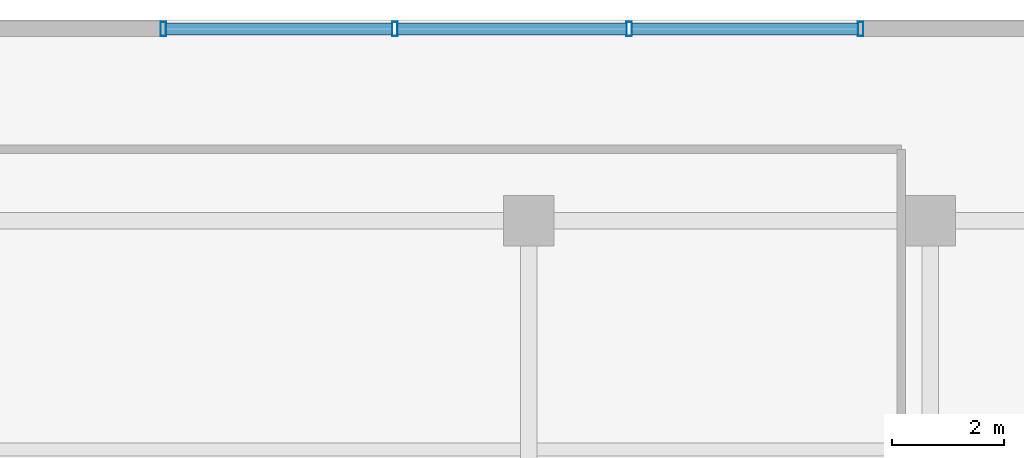
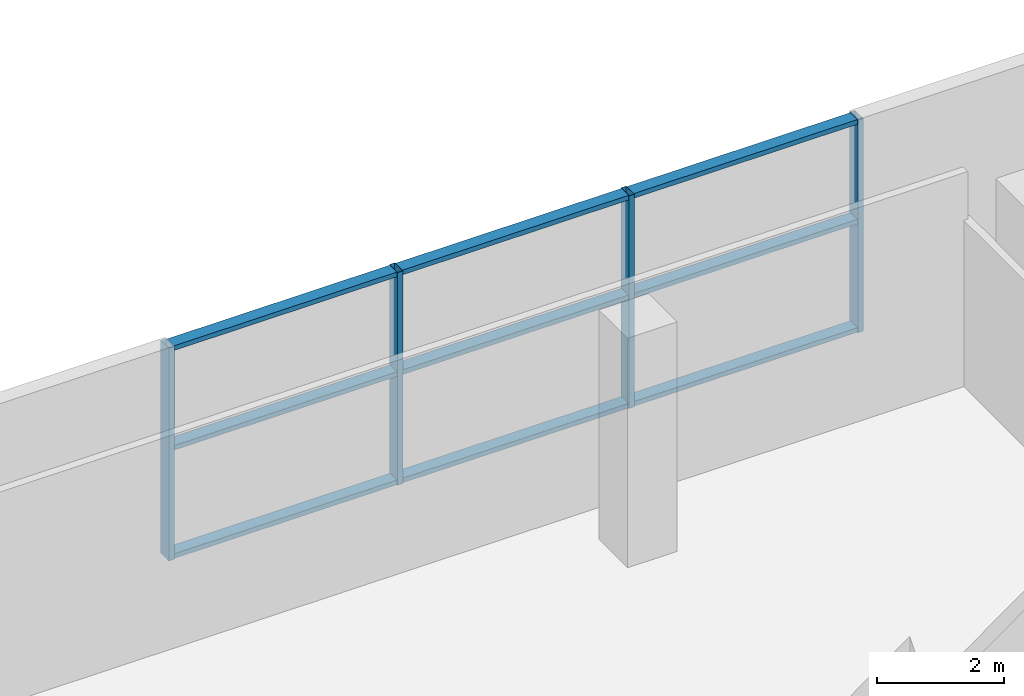
# One storey, part 10 of 21: 13 members, 1 element without a shape of its own.
"""IFC4 building model written with IfcOpenShell, lengths in metres."""

from ifc_helpers import new_model, si_unit, direction, frame, origin, origin_2d, place, context, subcontext, project, spatial, hollow_rectangle, extrude, source, transform, mapped, material, layer, layer_set, material_profile, profile_set, type_object, element, aggregate, save


model = new_model("IFC4")

# Units and contexts
model_context = context("Model", 3, precision=1e-05, world=origin(), true_north=direction((0.0, 1.0)))
body_context = subcontext(model_context, "Body", "Model", "MODEL_VIEW")
ifc_project = project(units=[si_unit("LENGTHUNIT", "METRE"), si_unit("AREAUNIT", "SQUARE_METRE"), si_unit("VOLUMEUNIT", "CUBIC_METRE"), si_unit("PLANEANGLEUNIT", "RADIAN"), si_unit("MASSUNIT", "GRAM", prefix="KILO")], contexts=[model_context])

# Site, building, storey
site_placement = place(None, origin())
site = spatial("IfcSite", under=ifc_project, at=site_placement, CompositionType="ELEMENT")
building_placement = place(site_placement, origin())
building = spatial("IfcBuilding", under=site, at=building_placement, Name="Zarnakvel Exchange Tower", CompositionType="ELEMENT")
storey_placement = place(building_placement, frame((0.0, 0.0, 5.0)))
storey = spatial("IfcBuildingStorey", under=building, at=storey_placement, Name="L01", CompositionType="ELEMENT", Elevation=5.0)

# Curtain wall, members
ifc_material = material(Name="Architectural Bronze Anodised Aluminium", Category="aluminium")
ifc_layer = layer(ifc_material, 0.260009765625)
ifc_layer_set = layer_set([ifc_layer], Name="Architectural Bronze Anodised Aluminium")
curtain_wall_type = type_object("IfcCurtainWallType", Name="CW-01", PredefinedType="NOTDEFINED", material=ifc_layer_set)
curtain_wall_placement = place(storey_placement, origin())
curtain_wall = element("IfcCurtainWall", 1, at=curtain_wall_placement, inside=storey, type_object=curtain_wall_type, Name="L01 Curtain Wall CW-L01-N2 (CW-01)", PredefinedType="NOTDEFINED")
ifc_material_profile_1 = material_profile(ifc_material, hollow_rectangle(XDim=0.219970703125, YDim=0.090087890625, WallThickness=0.0048828125, at=origin_2d()))
ifc_profile_set_1 = profile_set([ifc_material_profile_1], Name="Architectural Bronze Anodised Aluminium")
member_type_1 = type_object("IfcMemberType", Name="CWT-01", PredefinedType="USERDEFINED", material=ifc_profile_set_1)
shared_shape_1 = source(origin(), body_context, "Body", "SweptSolid", [
    extrude(hollow_rectangle(XDim=0.219970703125, YDim=0.090087890625, WallThickness=0.0048828125, at=origin_2d()), origin(), (0.0, 0.0, 1.0), 4.050048828125),
])
member_1_placement = place(storey_placement, frame((7.89990234375, 25.0400390625, 0.044921875), z_axis=(1.0, 0.0, 0.0), x_axis=(0.0, 1.0, 0.0)))
member_1 = element("IfcMember", 2, at=member_1_placement, type_object=member_type_1, Name="CW-01 transom 1.1", ObjectType="TRANSOM", PredefinedType="USERDEFINED", context=body_context, shape_type="MappedRepresentation", body=[
    mapped(shared_shape_1, transform((0.0, 0.0, 0.0), x_axis=(1.0, 0.0, 0.0), y_axis=(0.0, 1.0, 0.0), z_axis=(0.0, 0.0, 1.0), scale=1.0)),
])
member_2_placement = place(storey_placement, frame((7.89990234375, 25.0400390625, 2.12158203125), z_axis=(1.0, 0.0, 0.0), x_axis=(0.0, 1.0, 0.0)))
member_2 = element("IfcMember", 3, at=member_2_placement, type_object=member_type_1, Name="CW-01 transom 1.2", ObjectType="TRANSOM", PredefinedType="USERDEFINED", context=body_context, shape_type="MappedRepresentation", body=[
    mapped(shared_shape_1, transform((0.0, 0.0, 0.0), x_axis=(1.0, 0.0, 0.0), y_axis=(0.0, 1.0, 0.0), z_axis=(0.0, 0.0, 1.0), scale=1.0)),
])
member_3_placement = place(storey_placement, frame((7.89990234375, 25.0400390625, 4.034912109375), z_axis=(1.0, 0.0, 0.0), x_axis=(0.0, 1.0, 0.0)))
member_3 = element("IfcMember", 4, at=member_3_placement, type_object=member_type_1, Name="CW-01 transom 1.3", ObjectType="TRANSOM", PredefinedType="USERDEFINED", context=body_context, shape_type="MappedRepresentation", body=[
    mapped(shared_shape_1, transform((0.0, 0.0, 0.0), x_axis=(1.0, 0.0, 0.0), y_axis=(0.0, 1.0, 0.0), z_axis=(0.0, 0.0, 1.0), scale=1.0)),
])
member_4_placement = place(storey_placement, frame((16.25, 25.0400390625, 0.044921875), z_axis=(1.0, 0.0, 0.0), x_axis=(0.0, 1.0, 0.0)))
member_4 = element("IfcMember", 5, at=member_4_placement, type_object=member_type_1, Name="CW-01 transom 3.1", ObjectType="TRANSOM", PredefinedType="USERDEFINED", context=body_context, shape_type="MappedRepresentation", body=[
    mapped(shared_shape_1, transform((0.0, 0.0, 0.0), x_axis=(1.0, 0.0, 0.0), y_axis=(0.0, 1.0, 0.0), z_axis=(0.0, 0.0, 1.0), scale=1.0)),
])
member_5_placement = place(storey_placement, frame((16.25, 25.0400390625, 2.12158203125), z_axis=(1.0, 0.0, 0.0), x_axis=(0.0, 1.0, 0.0)))
member_5 = element("IfcMember", 6, at=member_5_placement, type_object=member_type_1, Name="CW-01 transom 3.2", ObjectType="TRANSOM", PredefinedType="USERDEFINED", context=body_context, shape_type="MappedRepresentation", body=[
    mapped(shared_shape_1, transform((0.0, 0.0, 0.0), x_axis=(1.0, 0.0, 0.0), y_axis=(0.0, 1.0, 0.0), z_axis=(0.0, 0.0, 1.0), scale=1.0)),
])
member_6_placement = place(storey_placement, frame((16.25, 25.0400390625, 4.034912109375), z_axis=(1.0, 0.0, 0.0), x_axis=(0.0, 1.0, 0.0)))
member_6 = element("IfcMember", 7, at=member_6_placement, type_object=member_type_1, Name="CW-01 transom 3.3", ObjectType="TRANSOM", PredefinedType="USERDEFINED", context=body_context, shape_type="MappedRepresentation", body=[
    mapped(shared_shape_1, transform((0.0, 0.0, 0.0), x_axis=(1.0, 0.0, 0.0), y_axis=(0.0, 1.0, 0.0), z_axis=(0.0, 0.0, 1.0), scale=1.0)),
])
shared_shape_2 = source(origin(), body_context, "Body", "SweptSolid", [
    extrude(hollow_rectangle(XDim=0.219970703125, YDim=0.090087890625, WallThickness=0.0048828125, at=origin_2d()), origin(), (0.0, 0.0, 1.0), 4.099853515625),
])
member_7_placement = place(storey_placement, frame((12.050048828125, 25.0400390625, 0.044921875), z_axis=(1.0, 0.0, 0.0), x_axis=(0.0, 1.0, 0.0)))
member_7 = element("IfcMember", 8, at=member_7_placement, type_object=member_type_1, Name="CW-01 transom 2.1", ObjectType="TRANSOM", PredefinedType="USERDEFINED", context=body_context, shape_type="MappedRepresentation", body=[
    mapped(shared_shape_2, transform((0.0, 0.0, 0.0), x_axis=(1.0, 0.0, 0.0), y_axis=(0.0, 1.0, 0.0), z_axis=(0.0, 0.0, 1.0), scale=1.0)),
])
member_8_placement = place(storey_placement, frame((12.050048828125, 25.0400390625, 2.12158203125), z_axis=(1.0, 0.0, 0.0), x_axis=(0.0, 1.0, 0.0)))
member_8 = element("IfcMember", 9, at=member_8_placement, type_object=member_type_1, Name="CW-01 transom 2.2", ObjectType="TRANSOM", PredefinedType="USERDEFINED", context=body_context, shape_type="MappedRepresentation", body=[
    mapped(shared_shape_2, transform((0.0, 0.0, 0.0), x_axis=(1.0, 0.0, 0.0), y_axis=(0.0, 1.0, 0.0), z_axis=(0.0, 0.0, 1.0), scale=1.0)),
])
member_9_placement = place(storey_placement, frame((12.050048828125, 25.0400390625, 4.034912109375), z_axis=(1.0, 0.0, 0.0), x_axis=(0.0, 1.0, 0.0)))
member_9 = element("IfcMember", 10, at=member_9_placement, type_object=member_type_1, Name="CW-01 transom 2.3", ObjectType="TRANSOM", PredefinedType="USERDEFINED", context=body_context, shape_type="MappedRepresentation", body=[
    mapped(shared_shape_2, transform((0.0, 0.0, 0.0), x_axis=(1.0, 0.0, 0.0), y_axis=(0.0, 1.0, 0.0), z_axis=(0.0, 0.0, 1.0), scale=1.0)),
])
ifc_material_profile_2 = material_profile(ifc_material, hollow_rectangle(XDim=0.260009765625, YDim=0.10009765625, WallThickness=0.006103515625, at=origin_2d()))
ifc_profile_set_2 = profile_set([ifc_material_profile_2], Name="Architectural Bronze Anodised Aluminium")
member_type_2 = type_object("IfcMemberType", Name="CWM-01", PredefinedType="MULLION", material=ifc_profile_set_2)
shared_shape_3 = source(origin(), body_context, "Body", "SweptSolid", [
    extrude(hollow_rectangle(XDim=0.260009765625, YDim=0.10009765625, WallThickness=0.006103515625, at=origin_2d()), origin(), (0.0, 0.0, 1.0), 4.080078125),
])
member_10_placement = place(storey_placement, frame((7.85009765625, 25.0400390625, 0.0), z_axis=(0.0, 0.0, 1.0), x_axis=(0.0, 1.0, 0.0)))
member_10 = element("IfcMember", 11, at=member_10_placement, type_object=member_type_2, Name="CW-01 mullion 1", PredefinedType="MULLION", context=body_context, shape_type="MappedRepresentation", body=[
    mapped(shared_shape_3, transform((0.0, 0.0, 0.0), x_axis=(1.0, 0.0, 0.0), y_axis=(0.0, 1.0, 0.0), z_axis=(0.0, 0.0, 1.0), scale=1.0)),
])
member_11_placement = place(storey_placement, frame((12.0, 25.0400390625, 0.0), z_axis=(0.0, 0.0, 1.0), x_axis=(0.0, 1.0, 0.0)))
member_11 = element("IfcMember", 12, at=member_11_placement, type_object=member_type_2, Name="CW-01 mullion 2", PredefinedType="MULLION", context=body_context, shape_type="MappedRepresentation", body=[
    mapped(shared_shape_3, transform((0.0, 0.0, 0.0), x_axis=(1.0, 0.0, 0.0), y_axis=(0.0, 1.0, 0.0), z_axis=(0.0, 0.0, 1.0), scale=1.0)),
])
member_12_placement = place(storey_placement, frame((16.199951171875, 25.0400390625, 0.0), z_axis=(0.0, 0.0, 1.0), x_axis=(0.0, 1.0, 0.0)))
member_12 = element("IfcMember", 13, at=member_12_placement, type_object=member_type_2, Name="CW-01 mullion 3", PredefinedType="MULLION", context=body_context, shape_type="MappedRepresentation", body=[
    mapped(shared_shape_3, transform((0.0, 0.0, 0.0), x_axis=(1.0, 0.0, 0.0), y_axis=(0.0, 1.0, 0.0), z_axis=(0.0, 0.0, 1.0), scale=1.0)),
])
member_13_placement = place(storey_placement, frame((20.35009765625, 25.0400390625, 0.0), z_axis=(0.0, 0.0, 1.0), x_axis=(0.0, 1.0, 0.0)))
member_13 = element("IfcMember", 14, at=member_13_placement, type_object=member_type_2, Name="CW-01 mullion 4", PredefinedType="MULLION", context=body_context, shape_type="MappedRepresentation", body=[
    mapped(shared_shape_3, transform((0.0, 0.0, 0.0), x_axis=(1.0, 0.0, 0.0), y_axis=(0.0, 1.0, 0.0), z_axis=(0.0, 0.0, 1.0), scale=1.0)),
])
aggregate(curtain_wall, [member_10, member_11, member_12, member_13, member_1, member_2, member_3, member_7, member_8, member_9, member_4, member_5, member_6])

save(model, "model.ifc")
